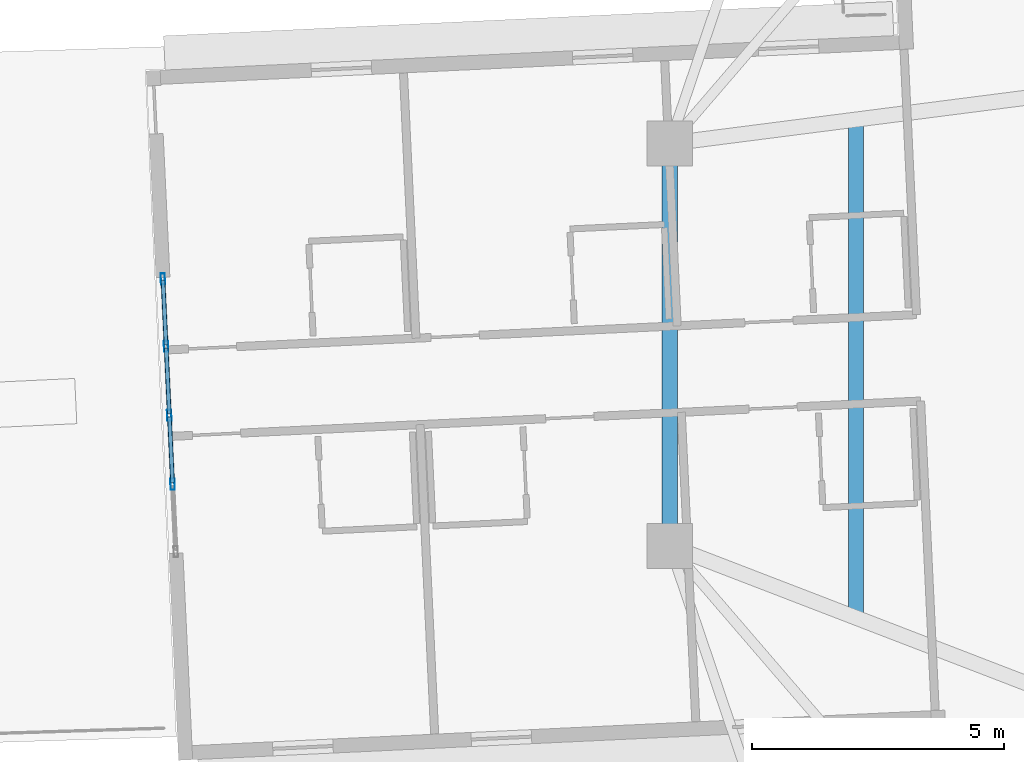
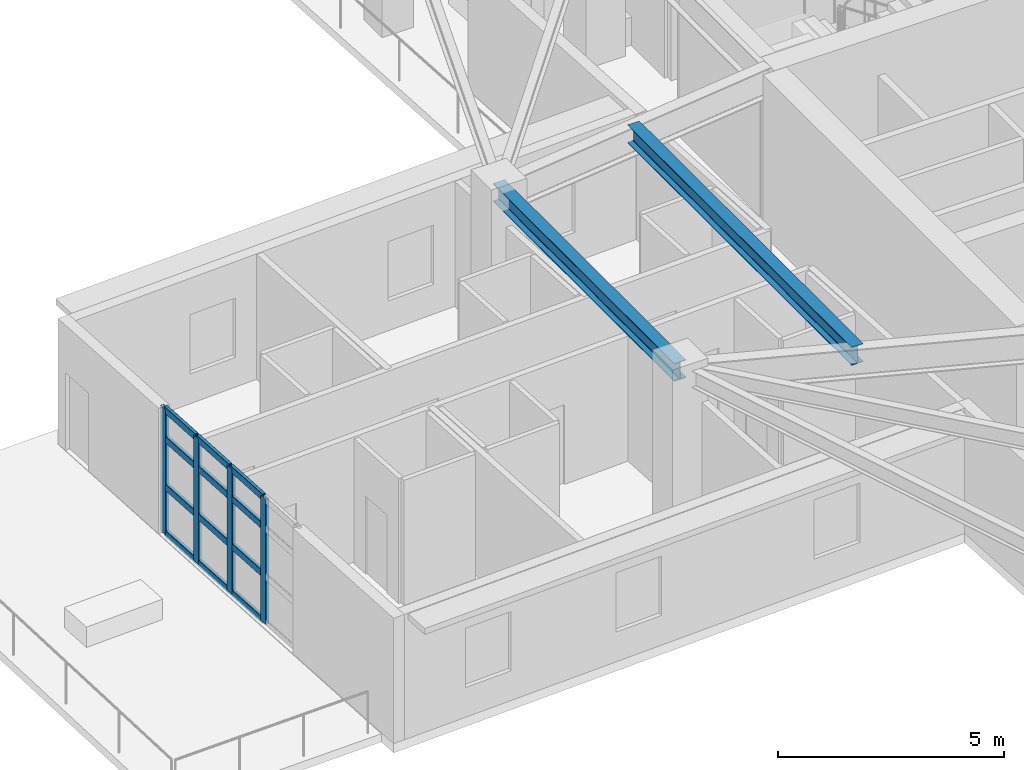
# One storey, part 6 of 22: 16 members, 2 beams, 1 element without a shape of its own.
"""IFC4 building model written with IfcOpenShell, lengths in metres."""

from ifc_helpers import new_model, si_unit, direction, frame, origin, origin_2d, place, context, subcontext, project, spatial, hollow_rectangle, i_section, extrude, material, layer, layer_set, material_profile, profile_set, type_object, element, aggregate, save


model = new_model("IFC4")

# Units and contexts
model_context = context("Model", 3, precision=1e-05, world=origin(), true_north=direction((0.0, 1.0)))
body_context = subcontext(model_context, "Body", "Model", "MODEL_VIEW")
ifc_project = project(units=[si_unit("LENGTHUNIT", "METRE"), si_unit("AREAUNIT", "SQUARE_METRE"), si_unit("VOLUMEUNIT", "CUBIC_METRE"), si_unit("PLANEANGLEUNIT", "RADIAN"), si_unit("MASSUNIT", "GRAM", prefix="KILO")], contexts=[model_context])

# Site, building, storey
site_placement = place(None, origin())
site = spatial("IfcSite", under=ifc_project, at=site_placement, CompositionType="ELEMENT")
building_placement = place(site_placement, origin())
building = spatial("IfcBuilding", under=site, at=building_placement, Name="Qingluan Cross Belvedere", CompositionType="ELEMENT")
storey_placement = place(building_placement, frame((0.0, 0.0, 196.800048828125)))
storey = spatial("IfcBuildingStorey", under=building, at=storey_placement, Name="L49", CompositionType="ELEMENT", Elevation=196.800048828125)

# Curtain wall, members
ifc_material_1 = material(Name="Thermally broken aluminium and Low-E glass", Category="aluminium")
ifc_layer = layer(ifc_material_1, 0.219970703125, Name="UnitisedCW_SkyLobbyHigh")
ifc_layer_set = layer_set([ifc_layer], Name="Thermally broken aluminium and Low-E glass")
curtain_wall_type = type_object("IfcCurtainWallType", Name="UnitisedCW_SkyLobbyHigh", PredefinedType="USERDEFINED", material=ifc_layer_set)
curtain_wall_placement = place(storey_placement, origin())
curtain_wall = element("IfcCurtainWall", 1, at=curtain_wall_placement, inside=storey, type_object=curtain_wall_type, Name="UnitisedCW_SkyLobbyHigh run env:cw:L49:W", ObjectType="UNITISED CURTAIN WALL", PredefinedType="USERDEFINED")
ifc_material_2 = material(Name="Aluminium alloy 6063-T6", Category="aluminium")
ifc_material_profile_1 = material_profile(ifc_material_2, hollow_rectangle(XDim=0.0849609375, YDim=0.219970703125, WallThickness=0.0048828125, InnerFilletRadius=0.0048828125, OuterFilletRadius=0.010009765625, at=origin_2d()), Name="CWM220x85x5")
ifc_profile_set_1 = profile_set([ifc_material_profile_1], Name="Aluminium alloy 6063-T6")
member_type_1 = type_object("IfcMemberType", Name="CWMullion_220", PredefinedType="MULLION", material=ifc_profile_set_1)
member_1_placement = place(storey_placement, frame((-29.874755859375, 1.308349609375, 0.0), z_axis=(0.0, 0.0, 1.0), x_axis=(0.998890085504, 0.04710198597, 0.0)))
member_1 = element("IfcMember", 2, at=member_1_placement, type_object=member_type_1, Name="CW-S2 mullion 1", PredefinedType="MULLION", context=body_context, shape_type="SweptSolid", body=[
    extrude(hollow_rectangle(XDim=0.0849609375, YDim=0.219970703125, WallThickness=0.0048828125, InnerFilletRadius=0.0048828125, OuterFilletRadius=0.010009765625, at=origin_2d()), origin(), (0.0, 0.0, 1.0), 3.3798828125),
])
member_2_placement = place(storey_placement, frame((-29.8115234375, -0.0322265625, 0.0), z_axis=(0.0, 0.0, 1.0), x_axis=(0.998890085504, 0.04710198597, 0.0)))
member_2 = element("IfcMember", 3, at=member_2_placement, type_object=member_type_1, Name="CW-S2 mullion 2", PredefinedType="MULLION", context=body_context, shape_type="SweptSolid", body=[
    extrude(hollow_rectangle(XDim=0.0849609375, YDim=0.219970703125, WallThickness=0.0048828125, InnerFilletRadius=0.0048828125, OuterFilletRadius=0.010009765625, at=origin_2d()), origin(), (0.0, 0.0, 1.0), 3.3798828125),
])
member_3_placement = place(storey_placement, frame((-29.7470703125, -1.40283203125, 0.0), z_axis=(0.0, 0.0, 1.0), x_axis=(0.998890085504, 0.04710198597, 0.0)))
member_3 = element("IfcMember", 4, at=member_3_placement, type_object=member_type_1, Name="CW-S2 mullion 3", PredefinedType="MULLION", context=body_context, shape_type="SweptSolid", body=[
    extrude(hollow_rectangle(XDim=0.0849609375, YDim=0.219970703125, WallThickness=0.0048828125, InnerFilletRadius=0.0048828125, OuterFilletRadius=0.010009765625, at=origin_2d()), origin(), (0.0, 0.0, 1.0), 3.3798828125),
])
member_4_placement = place(storey_placement, frame((-29.682373046875, -2.773193359375, 0.0), z_axis=(0.0, 0.0, 1.0), x_axis=(0.998890085504, 0.04710198597, 0.0)))
member_4 = element("IfcMember", 5, at=member_4_placement, type_object=member_type_1, Name="CW-S2 mullion 4", PredefinedType="MULLION", context=body_context, shape_type="SweptSolid", body=[
    extrude(hollow_rectangle(XDim=0.0849609375, YDim=0.219970703125, WallThickness=0.0048828125, InnerFilletRadius=0.0048828125, OuterFilletRadius=0.010009765625, at=origin_2d()), origin(), (0.0, 0.0, 1.0), 3.3798828125),
])
ifc_material_3 = material(Name="Aluminium alloy 6063-T6", Category="aluminium")
ifc_material_profile_2 = material_profile(ifc_material_3, hollow_rectangle(XDim=0.0849609375, YDim=0.179931640625, WallThickness=0.00390625, InnerFilletRadius=0.00390625, OuterFilletRadius=0.008056640625, at=origin_2d()), Name="CWT180x85x4")
ifc_profile_set_2 = profile_set([ifc_material_profile_2], Name="Aluminium alloy 6063-T6")
member_type_2 = type_object("IfcMemberType", Name="CWTransom_180", PredefinedType="USERDEFINED", material=ifc_profile_set_2)
member_5_placement = place(storey_placement, frame((-29.873291015625, 1.2783203125, 0.030029296875), z_axis=(0.047031390152, -0.998893411902, 0.0), x_axis=(0.998893411902, 0.047031390152, 0.0)))
member_5 = element("IfcMember", 6, at=member_5_placement, type_object=member_type_2, Name="CW-S2 transom 1.1", ObjectType="TRANSOM", PredefinedType="USERDEFINED", context=body_context, shape_type="SweptSolid", body=[
    extrude(hollow_rectangle(XDim=0.0849609375, YDim=0.179931640625, WallThickness=0.00390625, InnerFilletRadius=0.00390625, OuterFilletRadius=0.008056640625, at=origin_2d()), origin(), (0.0, 0.0, 1.0), 1.2822265625),
])
member_6_placement = place(storey_placement, frame((-29.873291015625, 1.2783203125, 1.283935546875), z_axis=(0.047031390152, -0.998893411902, 0.0), x_axis=(0.998893411902, 0.047031390152, 0.0)))
member_6 = element("IfcMember", 7, at=member_6_placement, type_object=member_type_2, Name="CW-S2 transom 1.2", ObjectType="TRANSOM", PredefinedType="USERDEFINED", context=body_context, shape_type="SweptSolid", body=[
    extrude(hollow_rectangle(XDim=0.0849609375, YDim=0.179931640625, WallThickness=0.00390625, InnerFilletRadius=0.00390625, OuterFilletRadius=0.008056640625, at=origin_2d()), origin(), (0.0, 0.0, 1.0), 1.2822265625),
])
member_7_placement = place(storey_placement, frame((-29.873291015625, 1.2783203125, 2.56884765625), z_axis=(0.047031390152, -0.998893411902, 0.0), x_axis=(0.998893411902, 0.047031390152, 0.0)))
member_7 = element("IfcMember", 8, at=member_7_placement, type_object=member_type_2, Name="CW-S2 transom 1.3", ObjectType="TRANSOM", PredefinedType="USERDEFINED", context=body_context, shape_type="SweptSolid", body=[
    extrude(hollow_rectangle(XDim=0.0849609375, YDim=0.179931640625, WallThickness=0.00390625, InnerFilletRadius=0.00390625, OuterFilletRadius=0.008056640625, at=origin_2d()), origin(), (0.0, 0.0, 1.0), 1.2822265625),
])
member_8_placement = place(storey_placement, frame((-29.873291015625, 1.2783203125, 3.349853515625), z_axis=(0.047031390152, -0.998893411902, 0.0), x_axis=(0.998893411902, 0.047031390152, 0.0)))
member_8 = element("IfcMember", 9, at=member_8_placement, type_object=member_type_2, Name="CW-S2 transom 1.4", ObjectType="TRANSOM", PredefinedType="USERDEFINED", context=body_context, shape_type="SweptSolid", body=[
    extrude(hollow_rectangle(XDim=0.0849609375, YDim=0.179931640625, WallThickness=0.00390625, InnerFilletRadius=0.00390625, OuterFilletRadius=0.008056640625, at=origin_2d()), origin(), (0.0, 0.0, 1.0), 1.2822265625),
])
member_9_placement = place(storey_placement, frame((-29.81005859375, -0.062255859375, 0.030029296875), z_axis=(0.04707888732, -0.998891174437, 0.0), x_axis=(0.998891174437, 0.04707888732, 0.0)))
member_9 = element("IfcMember", 10, at=member_9_placement, type_object=member_type_2, Name="CW-S2 transom 2.1", ObjectType="TRANSOM", PredefinedType="USERDEFINED", context=body_context, shape_type="SweptSolid", body=[
    extrude(hollow_rectangle(XDim=0.0849609375, YDim=0.179931640625, WallThickness=0.00390625, InnerFilletRadius=0.00390625, OuterFilletRadius=0.008056640625, at=origin_2d()), origin(), (0.0, 0.0, 1.0), 1.31201171875),
])
member_10_placement = place(storey_placement, frame((-29.81005859375, -0.062255859375, 1.283935546875), z_axis=(0.04707888732, -0.998891174437, 0.0), x_axis=(0.998891174437, 0.04707888732, 0.0)))
member_10 = element("IfcMember", 11, at=member_10_placement, type_object=member_type_2, Name="CW-S2 transom 2.2", ObjectType="TRANSOM", PredefinedType="USERDEFINED", context=body_context, shape_type="SweptSolid", body=[
    extrude(hollow_rectangle(XDim=0.0849609375, YDim=0.179931640625, WallThickness=0.00390625, InnerFilletRadius=0.00390625, OuterFilletRadius=0.008056640625, at=origin_2d()), origin(), (0.0, 0.0, 1.0), 1.31201171875),
])
member_11_placement = place(storey_placement, frame((-29.81005859375, -0.062255859375, 2.56884765625), z_axis=(0.04707888732, -0.998891174437, 0.0), x_axis=(0.998891174437, 0.04707888732, 0.0)))
member_11 = element("IfcMember", 12, at=member_11_placement, type_object=member_type_2, Name="CW-S2 transom 2.3", ObjectType="TRANSOM", PredefinedType="USERDEFINED", context=body_context, shape_type="SweptSolid", body=[
    extrude(hollow_rectangle(XDim=0.0849609375, YDim=0.179931640625, WallThickness=0.00390625, InnerFilletRadius=0.00390625, OuterFilletRadius=0.008056640625, at=origin_2d()), origin(), (0.0, 0.0, 1.0), 1.31201171875),
])
member_12_placement = place(storey_placement, frame((-29.81005859375, -0.062255859375, 3.349853515625), z_axis=(0.04707888732, -0.998891174437, 0.0), x_axis=(0.998891174437, 0.04707888732, 0.0)))
member_12 = element("IfcMember", 13, at=member_12_placement, type_object=member_type_2, Name="CW-S2 transom 2.4", ObjectType="TRANSOM", PredefinedType="USERDEFINED", context=body_context, shape_type="SweptSolid", body=[
    extrude(hollow_rectangle(XDim=0.0849609375, YDim=0.179931640625, WallThickness=0.00390625, InnerFilletRadius=0.00390625, OuterFilletRadius=0.008056640625, at=origin_2d()), origin(), (0.0, 0.0, 1.0), 1.31201171875),
])
member_13_placement = place(storey_placement, frame((-29.74560546875, -1.432861328125, 0.030029296875), z_axis=(0.04707888732, -0.998891174437, 0.0), x_axis=(0.998891174437, 0.04707888732, 0.0)))
member_13 = element("IfcMember", 14, at=member_13_placement, type_object=member_type_2, Name="CW-S2 transom 3.1", ObjectType="TRANSOM", PredefinedType="USERDEFINED", context=body_context, shape_type="SweptSolid", body=[
    extrude(hollow_rectangle(XDim=0.0849609375, YDim=0.179931640625, WallThickness=0.00390625, InnerFilletRadius=0.00390625, OuterFilletRadius=0.008056640625, at=origin_2d()), origin(), (0.0, 0.0, 1.0), 1.31201171875),
])
member_14_placement = place(storey_placement, frame((-29.74560546875, -1.432861328125, 1.283935546875), z_axis=(0.04707888732, -0.998891174437, 0.0), x_axis=(0.998891174437, 0.04707888732, 0.0)))
member_14 = element("IfcMember", 15, at=member_14_placement, type_object=member_type_2, Name="CW-S2 transom 3.2", ObjectType="TRANSOM", PredefinedType="USERDEFINED", context=body_context, shape_type="SweptSolid", body=[
    extrude(hollow_rectangle(XDim=0.0849609375, YDim=0.179931640625, WallThickness=0.00390625, InnerFilletRadius=0.00390625, OuterFilletRadius=0.008056640625, at=origin_2d()), origin(), (0.0, 0.0, 1.0), 1.31201171875),
])
member_15_placement = place(storey_placement, frame((-29.74560546875, -1.432861328125, 2.56884765625), z_axis=(0.04707888732, -0.998891174437, 0.0), x_axis=(0.998891174437, 0.04707888732, 0.0)))
member_15 = element("IfcMember", 16, at=member_15_placement, type_object=member_type_2, Name="CW-S2 transom 3.3", ObjectType="TRANSOM", PredefinedType="USERDEFINED", context=body_context, shape_type="SweptSolid", body=[
    extrude(hollow_rectangle(XDim=0.0849609375, YDim=0.179931640625, WallThickness=0.00390625, InnerFilletRadius=0.00390625, OuterFilletRadius=0.008056640625, at=origin_2d()), origin(), (0.0, 0.0, 1.0), 1.31201171875),
])
member_16_placement = place(storey_placement, frame((-29.74560546875, -1.432861328125, 3.349853515625), z_axis=(0.04707888732, -0.998891174437, 0.0), x_axis=(0.998891174437, 0.04707888732, 0.0)))
member_16 = element("IfcMember", 17, at=member_16_placement, type_object=member_type_2, Name="CW-S2 transom 3.4", ObjectType="TRANSOM", PredefinedType="USERDEFINED", context=body_context, shape_type="SweptSolid", body=[
    extrude(hollow_rectangle(XDim=0.0849609375, YDim=0.179931640625, WallThickness=0.00390625, InnerFilletRadius=0.00390625, OuterFilletRadius=0.008056640625, at=origin_2d()), origin(), (0.0, 0.0, 1.0), 1.31201171875),
])
aggregate(curtain_wall, [member_1, member_2, member_3, member_4, member_5, member_6, member_7, member_8, member_9, member_10, member_11, member_12, member_13, member_14, member_15, member_16])

# Beams
ifc_material_4 = material(Name="Steel Q420GJB", Category="steel")
ifc_material_profile_3 = material_profile(ifc_material_4, i_section(OverallWidth=0.300048828125, OverallDepth=0.488037109375, WebThickness=0.010986328125, FlangeThickness=0.01806640625, FilletRadius=0.02197265625, at=origin_2d()), Name="HM488x300x11x18")
ifc_profile_set_3 = profile_set([ifc_material_profile_3], Name="Steel Q420GJB")
beam_type = type_object("IfcBeamType", Name="Steel_Beam_HM488x300x11x18", PredefinedType="BEAM", material=ifc_profile_set_3)
beam_1_placement = place(storey_placement, frame((-19.800048828125, -4.0, 4.055908203125), z_axis=(0.0, 1.0, 0.0), x_axis=(-1.0, 0.0, 0.0)))
element("IfcBeam", 18, at=beam_1_placement, inside=storey, type_object=beam_type, Name="Arm W tie L49", PredefinedType="BEAM", context=body_context, shape_type="SweptSolid", body=[
    extrude(i_section(OverallWidth=0.300048828125, OverallDepth=0.488037109375, WebThickness=0.010986328125, FlangeThickness=0.01806640625, FilletRadius=0.02197265625, at=origin_2d()), origin(), (0.0, 0.0, 1.0), 8.0),
])
beam_2_placement = place(storey_placement, frame((-16.10009765625, -5.425048828125, 4.055908203125), z_axis=(0.0, 1.0, 0.0), x_axis=(-1.0, 0.0, 0.0)))
element("IfcBeam", 19, at=beam_2_placement, inside=storey, type_object=beam_type, Name="Arm W beam L49", PredefinedType="BEAM", context=body_context, shape_type="SweptSolid", body=[
    extrude(i_section(OverallWidth=0.300048828125, OverallDepth=0.488037109375, WebThickness=0.010986328125, FlangeThickness=0.01806640625, FilletRadius=0.02197265625, at=origin_2d()), origin(), (0.0, 0.0, 1.0), 9.900146484375),
])

save(model, "model.ifc")
